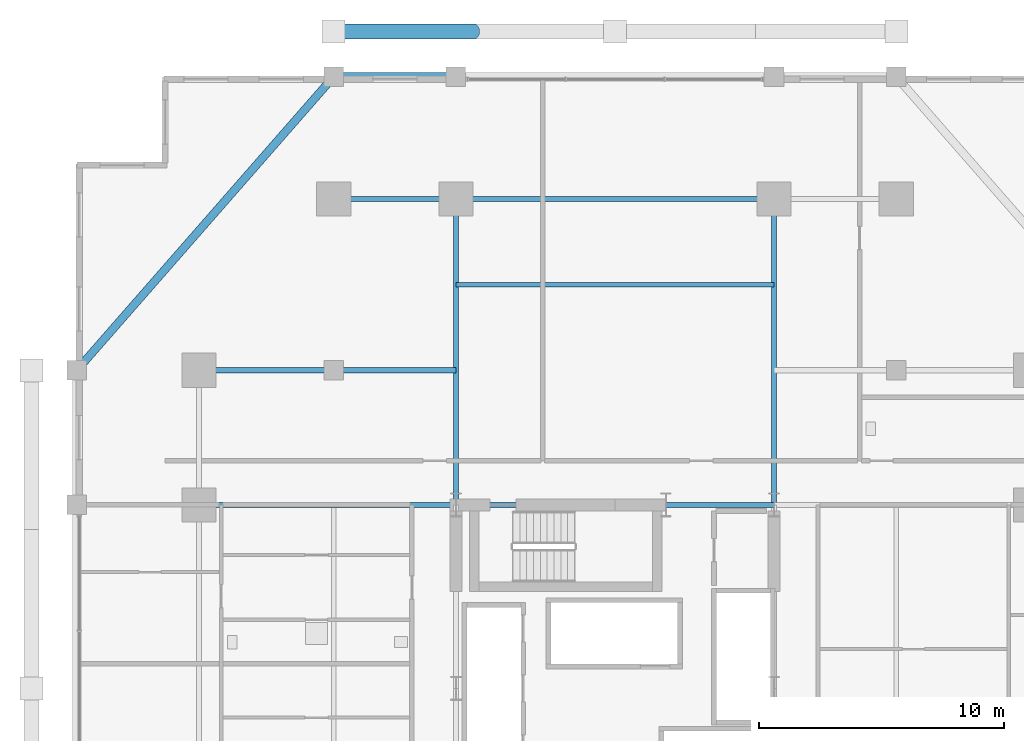
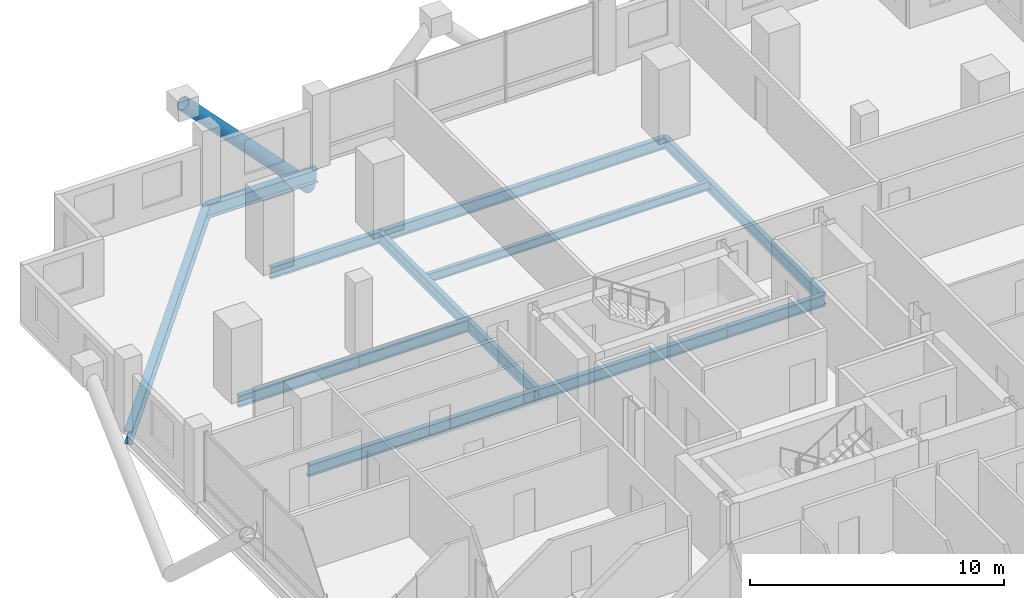
# One storey, part 12 of 23: 12 beams, 1 member.
"""IFC4 building model written with IfcOpenShell, lengths in metres."""

from ifc_helpers import new_model, si_unit, direction, frame, origin, origin_2d, place, context, subcontext, project, spatial, hollow_circle, i_section, extrude, material, material_profile, profile_set, type_object, element, save


model = new_model("IFC4")

# Units and contexts
model_context = context("Model", 3, precision=1e-05, world=origin(), true_north=direction((0.0, 1.0)))
body_context = subcontext(model_context, "Body", "Model", "MODEL_VIEW")
ifc_project = project(units=[si_unit("LENGTHUNIT", "METRE"), si_unit("AREAUNIT", "SQUARE_METRE"), si_unit("VOLUMEUNIT", "CUBIC_METRE"), si_unit("PLANEANGLEUNIT", "RADIAN"), si_unit("MASSUNIT", "GRAM", prefix="KILO")], contexts=[model_context])

# Site, building, storey
site_placement = place(None, origin())
site = spatial("IfcSite", under=ifc_project, at=site_placement, CompositionType="ELEMENT")
building_placement = place(site_placement, origin())
building = spatial("IfcBuilding", under=site, at=building_placement, Name="Barlavira Tower and Art Museum", CompositionType="ELEMENT")
storey_placement = place(building_placement, frame((0.0, 0.0, 36.0)))
storey = spatial("IfcBuildingStorey", under=building, at=storey_placement, Name="L07", CompositionType="ELEMENT", Elevation=36.0)

# Member
ifc_material = material(Name="Steel S355", Category="steel")
ifc_material_profile_1 = material_profile(ifc_material, hollow_circle(Radius=0.304931640625, WallThickness=0.028076171875, at=origin_2d()), Name="CHS 610.0x28.0")
ifc_profile_set_1 = profile_set([ifc_material_profile_1], Name="Steel S355")
member_type = type_object("IfcMemberType", Name="Pale-Metal Exoskeleton Diagrid Tube CHS 610x28 Steel S355", PredefinedType="BRACE", material=ifc_profile_set_1)
member_placement = place(storey_placement, frame((-5.75, 26.85009765625, -2.52001953125), z_axis=(-0.691905363236, 0.0, 0.721988205115), x_axis=(0.0, -1.0, 0.0)))
element("IfcMember", 1, at=member_placement, inside=storey, type_object=member_type, Name="L07 Exoskeleton Diagrid Tube N", PredefinedType="BRACE", context=body_context, shape_type="SweptSolid", body=[
    extrude(hollow_circle(Radius=0.304931640625, WallThickness=0.028076171875, at=origin_2d()), origin(), (0.0, 0.0, 1.0), 8.310302734375),
])

# Beams
ifc_material_profile_2 = material_profile(ifc_material, i_section(OverallWidth=0.327880859375, OverallDepth=0.62890625, WebThickness=0.013916015625, FlangeThickness=0.021484375, at=origin_2d()), Name="W610x174.0")
ifc_profile_set_2 = profile_set([ifc_material_profile_2], Name="Steel S355")
beam_type_1 = type_object("IfcBeamType", Name="Perimeter Spandrel Edge Beam W610x174 Steel S355", PredefinedType="SPANDREL", material=ifc_profile_set_2)
beam_1_placement = place(storey_placement, frame((-11.5, 25.0, -0.534423828125), z_axis=(1.0, 0.0, 0.0), x_axis=(0.0, 1.0, 0.0)))
element("IfcBeam", 2, at=beam_1_placement, inside=storey, type_object=beam_type_1, Name="L07 Spandrel 11", PredefinedType="SPANDREL", context=body_context, shape_type="SweptSolid", body=[
    extrude(i_section(OverallWidth=0.327880859375, OverallDepth=0.62890625, WebThickness=0.013916015625, FlangeThickness=0.021484375, at=origin_2d()), origin(), (0.0, 0.0, 1.0), 5.0),
])
beam_2_placement = place(storey_placement, frame((-11.5, 25.0, -0.534423828125), z_axis=(-0.658504607869, -0.752576694707, 0.0), x_axis=(0.752576694707, -0.658504607869, 0.0)))
element("IfcBeam", 3, at=beam_2_placement, inside=storey, type_object=beam_type_1, Name="L07 Spandrel 12", PredefinedType="SPANDREL", context=body_context, shape_type="SweptSolid", body=[
    extrude(i_section(OverallWidth=0.327880859375, OverallDepth=0.62890625, WebThickness=0.013916015625, FlangeThickness=0.021484375, at=origin_2d()), origin(), (0.0, 0.0, 1.0), 15.9453125),
])
ifc_material_profile_3 = material_profile(ifc_material, i_section(OverallWidth=0.180908203125, OverallDepth=0.4169921875, WebThickness=0.010986328125, FlangeThickness=0.018310546875, at=origin_2d()), Name="W410x85.0")
ifc_profile_set_3 = profile_set([ifc_material_profile_3], Name="Steel S355")
beam_type_2 = type_object("IfcBeamType", Name="Zone 1 Composite Floor Joist W410x85 Steel S355", PredefinedType="JOIST", material=ifc_profile_set_3)
beam_3_placement = place(storey_placement, frame((-6.5, 16.5, -0.428466796875), z_axis=(1.0, 0.0, 0.0), x_axis=(0.0, 1.0, 0.0)))
element("IfcBeam", 4, at=beam_3_placement, inside=storey, type_object=beam_type_2, Name="L07 Joist C2", PredefinedType="JOIST", context=body_context, shape_type="SweptSolid", body=[
    extrude(i_section(OverallWidth=0.180908203125, OverallDepth=0.4169921875, WebThickness=0.010986328125, FlangeThickness=0.018310546875, at=origin_2d()), origin(), (0.0, 0.0, 1.0), 13.0),
])
ifc_material_profile_4 = material_profile(ifc_material, i_section(OverallWidth=0.214111328125, OverallDepth=0.549072265625, WebThickness=0.0146484375, FlangeThickness=0.023681640625, at=origin_2d()), Name="W530x138.0")
ifc_profile_set_4 = profile_set([ifc_material_profile_4], Name="Steel S355")
beam_type_3 = type_object("IfcBeamType", Name="Zone 1 Primary Floor Girder W530x138 Steel S355", PredefinedType="BEAM", material=ifc_profile_set_4)
beam_4_placement = place(storey_placement, frame((-6.5, 7.5, -0.494384765625), z_axis=(1.0, 0.0, 0.0), x_axis=(0.0, 1.0, 0.0)))
element("IfcBeam", 5, at=beam_4_placement, inside=storey, type_object=beam_type_3, Name="L07 Girder C-N1", PredefinedType="BEAM", context=body_context, shape_type="SweptSolid", body=[
    extrude(i_section(OverallWidth=0.214111328125, OverallDepth=0.549072265625, WebThickness=0.0146484375, FlangeThickness=0.023681640625, at=origin_2d()), origin(), (0.0, 0.0, 1.0), 8.580078125),
])
beam_5_placement = place(storey_placement, frame((2.080078125, 7.5, -0.494384765625), z_axis=(1.0, 0.0, 0.0), x_axis=(0.0, 1.0, 0.0)))
element("IfcBeam", 6, at=beam_5_placement, inside=storey, type_object=beam_type_3, Name="L07 Girder C-N2", PredefinedType="BEAM", context=body_context, shape_type="SweptSolid", body=[
    extrude(i_section(OverallWidth=0.214111328125, OverallDepth=0.549072265625, WebThickness=0.0146484375, FlangeThickness=0.023681640625, at=origin_2d()), origin(), (0.0, 0.0, 1.0), 4.419921875),
])
beam_6_placement = place(storey_placement, frame((-11.5, 20.0, -0.494384765625), z_axis=(1.0, 0.0, 0.0), x_axis=(0.0, 1.0, 0.0)))
element("IfcBeam", 7, at=beam_6_placement, inside=storey, type_object=beam_type_3, Name="L07 Girder M-N1", PredefinedType="BEAM", context=body_context, shape_type="SweptSolid", body=[
    extrude(i_section(OverallWidth=0.214111328125, OverallDepth=0.549072265625, WebThickness=0.0146484375, FlangeThickness=0.023681640625, at=origin_2d()), origin(), (0.0, 0.0, 1.0), 5.0),
])
beam_7_placement = place(storey_placement, frame((-6.5, 20.0, -0.494384765625), z_axis=(1.0, 0.0, 0.0), x_axis=(0.0, 1.0, 0.0)))
element("IfcBeam", 8, at=beam_7_placement, inside=storey, type_object=beam_type_3, Name="L07 Girder M-N2", PredefinedType="BEAM", context=body_context, shape_type="SweptSolid", body=[
    extrude(i_section(OverallWidth=0.214111328125, OverallDepth=0.549072265625, WebThickness=0.0146484375, FlangeThickness=0.023681640625, at=origin_2d()), origin(), (0.0, 0.0, 1.0), 13.0),
])
for number, where, z_axis, x_axis, name in (
    (9, (-6.5, 7.5, -0.494384765625), (0.0, 1.0, 0.0), (-1.0, 0.0, 0.0), "L07 Girder R-N1"),
    (10, (6.5, 7.5, -0.494384765625), (0.0, 1.0, 0.0), (-1.0, 0.0, 0.0), "L07 Girder R-N2"),
):
    element("IfcBeam", number, at=place(storey_placement, frame(where, z_axis=z_axis, x_axis=x_axis)), inside=storey, type_object=beam_type_3, Name=name, PredefinedType="BEAM", context=body_context, shape_type="SweptSolid", body=[
        extrude(i_section(OverallWidth=0.214111328125, OverallDepth=0.549072265625, WebThickness=0.0146484375, FlangeThickness=0.023681640625, at=origin_2d()), origin(), (0.0, 0.0, 1.0), 12.5),
    ])
beam_8_placement = place(storey_placement, frame((-17.0, 7.5, -0.494384765625), z_axis=(1.0, 0.0, 0.0), x_axis=(0.0, 1.0, 0.0)))
element("IfcBeam", 11, at=beam_8_placement, inside=storey, type_object=beam_type_3, Name="L07 Girder R-W2", PredefinedType="BEAM", context=body_context, shape_type="SweptSolid", body=[
    extrude(i_section(OverallWidth=0.214111328125, OverallDepth=0.549072265625, WebThickness=0.0146484375, FlangeThickness=0.023681640625, at=origin_2d()), origin(), (0.0, 0.0, 1.0), 10.5),
])
beam_9_placement = place(storey_placement, frame((-17.0, 13.0, -0.494384765625), z_axis=(1.0, 0.0, 0.0), x_axis=(0.0, 1.0, 0.0)))
element("IfcBeam", 12, at=beam_9_placement, inside=storey, type_object=beam_type_3, Name="L07 Girder I-N1", PredefinedType="BEAM", context=body_context, shape_type="SweptSolid", body=[
    extrude(i_section(OverallWidth=0.214111328125, OverallDepth=0.549072265625, WebThickness=0.0146484375, FlangeThickness=0.023681640625, at=origin_2d()), origin(), (0.0, 0.0, 1.0), 5.5),
])
beam_10_placement = place(storey_placement, frame((-11.5, 13.0, -0.494384765625), z_axis=(1.0, 0.0, 0.0), x_axis=(0.0, 1.0, 0.0)))
element("IfcBeam", 13, at=beam_10_placement, inside=storey, type_object=beam_type_3, Name="L07 Girder I-N2", PredefinedType="BEAM", context=body_context, shape_type="SweptSolid", body=[
    extrude(i_section(OverallWidth=0.214111328125, OverallDepth=0.549072265625, WebThickness=0.0146484375, FlangeThickness=0.023681640625, at=origin_2d()), origin(), (0.0, 0.0, 1.0), 5.0),
])

save(model, "model.ifc")
